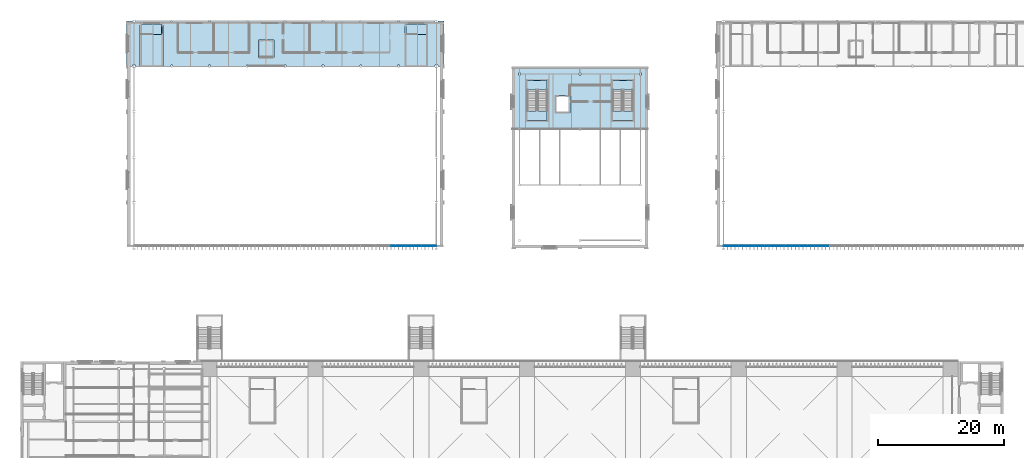
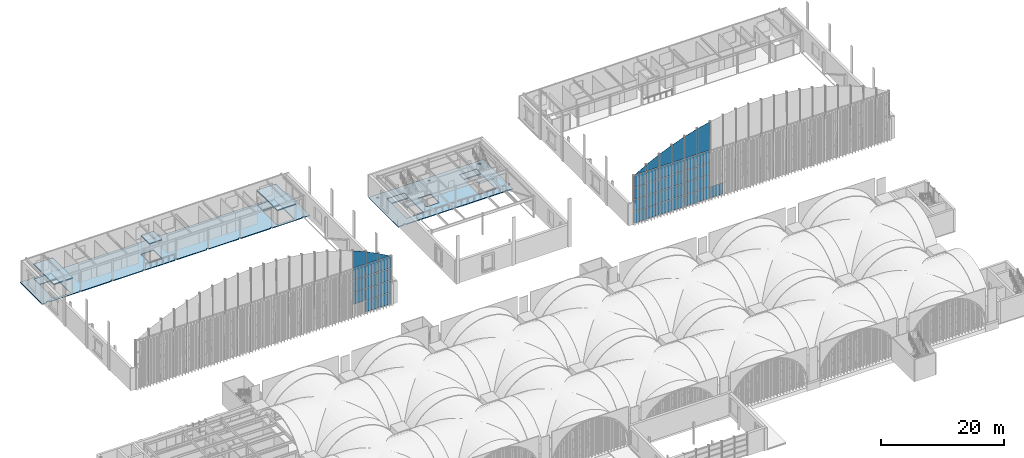
# One storey, part 90 of 169: 45 plates, 11 slabs, 4 elements without a shape of their own.
"""IFC4 building model written with IfcOpenShell, lengths in metres."""

from ifc_helpers import new_model, si_unit, direction, frame, origin, origin_2d, place, context, subcontext, project, spatial, polyline, rectangle, outline, extrude, material, layer, layer_set, type_object, element, aggregate, save


model = new_model("IFC4")

# Units and contexts
model_context = context("Model", 3, precision=1e-05, world=origin(), true_north=direction((0.0, 1.0)))
body_context = subcontext(model_context, "Body", "Model", "MODEL_VIEW")
ifc_project = project(units=[si_unit("LENGTHUNIT", "METRE"), si_unit("AREAUNIT", "SQUARE_METRE"), si_unit("VOLUMEUNIT", "CUBIC_METRE"), si_unit("PLANEANGLEUNIT", "RADIAN"), si_unit("MASSUNIT", "GRAM", prefix="KILO")], contexts=[model_context])

# Site, building, storey
site_placement = place(None, origin())
site = spatial("IfcSite", under=ifc_project, at=site_placement, CompositionType="ELEMENT")
building_placement = place(site_placement, origin())
building = spatial("IfcBuilding", under=site, at=building_placement, Name="Verrick Yard Athletic Hall", CompositionType="ELEMENT")
storey_placement = place(building_placement, frame((0.0, 0.0, 4.39990234375)))
storey = spatial("IfcBuildingStorey", under=building, at=storey_placement, Name="L01", CompositionType="ELEMENT", Elevation=4.39990234375)

# Slabs
ifc_material_1 = material(Name="Concrete 35 MPa", Category="concrete")
ifc_layer_1 = layer(ifc_material_1, 0.199951171875)
ifc_layer_set_1 = layer_set([ifc_layer_1], Name="Core floor slab 200")
slab_type_1 = type_object("IfcSlabType", Name="Core floor slab 200", PredefinedType="FLOOR", material=ifc_layer_set_1)
slab_1_placement = place(storey_placement, frame((0.0, 0.0, -0.199951171875)))
element("IfcSlab", 1, at=slab_1_placement, inside=storey, type_object=slab_type_1, Name="CORE-CH-E-NL-L01", PredefinedType="FLOOR", context=body_context, shape_type="SweptSolid", body=[
    extrude(outline(polyline([(104.0, 98.60009765625), (104.0, 97.10009765625), (107.199951171875, 97.10009765625), (107.199951171875, 98.60009765625), (104.0, 98.60009765625)])), origin(), (0.0, 0.0, 1.0), 0.199951171875),
])
slab_2_placement = place(storey_placement, frame((0.0, 0.0, -0.199951171875)))
element("IfcSlab", 2, at=slab_2_placement, inside=storey, type_object=slab_type_1, Name="CORE-CH-W-NL-L01", PredefinedType="FLOOR", context=body_context, shape_type="SweptSolid", body=[
    extrude(outline(polyline([(90.39990234375, 98.60009765625), (90.39990234375, 97.10009765625), (93.60009765625, 97.10009765625), (93.60009765625, 98.60009765625), (90.39990234375, 98.60009765625)])), origin(), (0.0, 0.0, 1.0), 0.199951171875),
])
slab_3_placement = place(storey_placement, frame((0.0, 0.0, -0.199951171875)))
element("IfcSlab", 3, at=slab_3_placement, inside=storey, type_object=slab_type_1, Name="CORE-HB-E-NL-L01", PredefinedType="FLOOR", context=body_context, shape_type="SweptSolid", body=[
    extrude(outline(polyline([(71.199951171875, 107.58154296875), (71.199951171875, 105.875), (74.39990234375, 105.875), (74.39990234375, 107.58154296875), (71.199951171875, 107.58154296875)])), origin(), (0.0, 0.0, 1.0), 0.199951171875),
])
slab_4_placement = place(storey_placement, frame((0.0, 0.0, -0.199951171875)))
element("IfcSlab", 4, at=slab_4_placement, inside=storey, type_object=slab_type_1, Name="CORE-HB-W-NL-L01", PredefinedType="FLOOR", context=body_context, shape_type="SweptSolid", body=[
    extrude(outline(polyline([(29.199951171875, 107.58154296875), (29.199951171875, 105.875), (32.39990234375, 105.875), (32.39990234375, 107.58154296875), (29.199951171875, 107.58154296875)])), origin(), (0.0, 0.0, 1.0), 0.199951171875),
])
ifc_layer_2 = layer(ifc_material_1, 0.199951171875)
ifc_layer_set_2 = layer_set([ifc_layer_2], Name="Core roof slab 200")
slab_type_2 = type_object("IfcSlabType", Name="Core roof slab 200", PredefinedType="ROOF", material=ifc_layer_set_2)
slab_5_placement = place(storey_placement, frame((0.0, 0.0, 3.0)))
element("IfcSlab", 5, at=slab_5_placement, inside=storey, type_object=slab_type_2, Name="CORE-HB-E-COVER", PredefinedType="ROOF", context=body_context, shape_type="SweptSolid", body=[
    extrude(outline(polyline([(71.0, 100.800048828125), (74.60009765625, 100.800048828125), (74.60009765625, 107.375), (71.0, 107.375), (71.0, 100.800048828125)])), origin(), (0.0, 0.0, 1.0), 0.2001953125),
])
slab_6_placement = place(storey_placement, frame((0.0, 0.0, 3.0)))
element("IfcSlab", 6, at=slab_6_placement, inside=storey, type_object=slab_type_2, Name="CORE-HB-W-COVER", PredefinedType="ROOF", context=body_context, shape_type="SweptSolid", body=[
    extrude(outline(polyline([(29.0, 100.800048828125), (32.60009765625, 100.800048828125), (32.60009765625, 107.375), (29.0, 107.375), (29.0, 100.800048828125)])), origin(), (0.0, 0.0, 1.0), 0.2001953125),
])
slab_7_placement = place(storey_placement, frame((0.0, 0.0, 3.60009765625)))
element("IfcSlab", 7, at=slab_7_placement, inside=storey, type_object=slab_type_2, Name="CORE-LF-HB-COVER", PredefinedType="ROOF", context=body_context, shape_type="SweptSolid", body=[
    extrude(outline(polyline([(47.800048828125, 102.199951171875), (50.199951171875, 102.199951171875), (50.199951171875, 105.0), (47.800048828125, 105.0), (47.800048828125, 102.199951171875)])), origin(), (0.0, 0.0, 1.0), 0.199951171875),
])

# Curtain wall, plates
ifc_material_2 = material(Name="Anodised aluminium", Category="aluminium")
ifc_layer_3 = layer(ifc_material_2, 0.199951171875)
ifc_layer_set_3 = layer_set([ifc_layer_3], Name="Gable glazing")
curtain_wall_type = type_object("IfcCurtainWallType", Name="Gable glazing", PredefinedType="NOTDEFINED", material=ifc_layer_set_3)
curtain_wall_1_placement = place(storey_placement, origin())
curtain_wall_1 = element("IfcCurtainWall", 8, at=curtain_wall_1_placement, inside=storey, type_object=curtain_wall_type, Name="Gable curtain wall AS", PredefinedType="NOTDEFINED")
ifc_material_3 = material(Name="Glass IGU low-e", Category="glass")
ifc_layer_4 = layer(ifc_material_3, 0.03125)
ifc_layer_set_4 = layer_set([ifc_layer_4], Name="Glazing panel 31")
plate_type = type_object("IfcPlateType", Name="Glazing panel 31", PredefinedType="CURTAIN_PANEL", material=ifc_layer_set_4)
plate_1_placement = place(storey_placement, frame((122.800048828125, 72.318359375, 0.1201171875), z_axis=(0.0, 0.0, 1.0), x_axis=(1.0, 0.0, 0.0)))
plate_1 = element("IfcPlate", 9, at=plate_1_placement, type_object=plate_type, Name="ENVB-HAS-CW/P00-00", PredefinedType="CURTAIN_PANEL", context=body_context, shape_type="SweptSolid", body=[
    extrude(rectangle(XDim=2.340087890625, YDim=0.03125, at=origin_2d()), origin(), (0.0, 0.0, 1.0), 2.219970703125),
])
plate_2_placement = place(storey_placement, frame((122.800048828125, 72.318359375, 2.4599609375), z_axis=(0.0, 0.0, 1.0), x_axis=(1.0, 0.0, 0.0)))
plate_2 = element("IfcPlate", 10, at=plate_2_placement, type_object=plate_type, Name="ENVB-HAS-CW/P00-01", PredefinedType="CURTAIN_PANEL", context=body_context, shape_type="SweptSolid", body=[
    extrude(rectangle(XDim=2.340087890625, YDim=0.03125, at=origin_2d()), origin(), (0.0, 0.0, 1.0), 2.280029296875),
])
plate_3_placement = place(storey_placement, frame((122.800048828125, 72.318359375, 4.85986328125), z_axis=(0.0, 0.0, 1.0), x_axis=(1.0, 0.0, 0.0)))
plate_3 = element("IfcPlate", 11, at=plate_3_placement, type_object=plate_type, Name="ENVB-HAS-CW/P00-02", PredefinedType="CURTAIN_PANEL", context=body_context, shape_type="SweptSolid", body=[
    extrude(rectangle(XDim=2.340087890625, YDim=0.03125, at=origin_2d()), origin(), (0.0, 0.0, 1.0), 2.280029296875),
])
plate_4_placement = place(storey_placement, frame((122.800048828125, 72.318359375, 7.26025390625), z_axis=(0.0, 0.0, 1.0), x_axis=(1.0, 0.0, 0.0)))
plate_4 = element("IfcPlate", 12, at=plate_4_placement, type_object=plate_type, Name="ENVB-HAS-CW/P00-03", PredefinedType="CURTAIN_PANEL", context=body_context, shape_type="SweptSolid", body=[
    extrude(rectangle(XDim=2.340087890625, YDim=0.03125, at=origin_2d()), origin(), (0.0, 0.0, 1.0), 2.280029296875),
])
plate_5_placement = place(storey_placement, frame((125.199951171875, 72.318359375, 0.1201171875), z_axis=(0.0, 0.0, 1.0), x_axis=(1.0, 0.0, 0.0)))
plate_5 = element("IfcPlate", 13, at=plate_5_placement, type_object=plate_type, Name="ENVB-HAS-CW/P01-00", PredefinedType="CURTAIN_PANEL", context=body_context, shape_type="SweptSolid", body=[
    extrude(rectangle(XDim=2.340087890625, YDim=0.03125, at=origin_2d()), origin(), (0.0, 0.0, 1.0), 2.219970703125),
])
plate_6_placement = place(storey_placement, frame((125.199951171875, 72.318359375, 2.4599609375), z_axis=(0.0, 0.0, 1.0), x_axis=(1.0, 0.0, 0.0)))
plate_6 = element("IfcPlate", 14, at=plate_6_placement, type_object=plate_type, Name="ENVB-HAS-CW/P01-01", PredefinedType="CURTAIN_PANEL", context=body_context, shape_type="SweptSolid", body=[
    extrude(rectangle(XDim=2.340087890625, YDim=0.03125, at=origin_2d()), origin(), (0.0, 0.0, 1.0), 2.280029296875),
])
plate_7_placement = place(storey_placement, frame((125.199951171875, 72.318359375, 4.85986328125), z_axis=(0.0, 0.0, 1.0), x_axis=(1.0, 0.0, 0.0)))
plate_7 = element("IfcPlate", 15, at=plate_7_placement, type_object=plate_type, Name="ENVB-HAS-CW/P01-02", PredefinedType="CURTAIN_PANEL", context=body_context, shape_type="SweptSolid", body=[
    extrude(rectangle(XDim=2.340087890625, YDim=0.03125, at=origin_2d()), origin(), (0.0, 0.0, 1.0), 2.280029296875),
])
plate_8_placement = place(storey_placement, frame((125.199951171875, 72.318359375, 7.26025390625), z_axis=(0.0, 0.0, 1.0), x_axis=(1.0, 0.0, 0.0)))
plate_8 = element("IfcPlate", 16, at=plate_8_placement, type_object=plate_type, Name="ENVB-HAS-CW/P01-03", PredefinedType="CURTAIN_PANEL", context=body_context, shape_type="SweptSolid", body=[
    extrude(rectangle(XDim=2.340087890625, YDim=0.03125, at=origin_2d()), origin(), (0.0, 0.0, 1.0), 2.280029296875),
])
plate_9_placement = place(storey_placement, frame((127.60009765625, 72.318359375, 0.1201171875), z_axis=(0.0, 0.0, 1.0), x_axis=(1.0, 0.0, 0.0)))
plate_9 = element("IfcPlate", 17, at=plate_9_placement, type_object=plate_type, Name="ENVB-HAS-CW/P02-00", PredefinedType="CURTAIN_PANEL", context=body_context, shape_type="SweptSolid", body=[
    extrude(rectangle(XDim=2.340087890625, YDim=0.03125, at=origin_2d()), origin(), (0.0, 0.0, 1.0), 2.219970703125),
])
plate_10_placement = place(storey_placement, frame((127.60009765625, 72.318359375, 2.4599609375), z_axis=(0.0, 0.0, 1.0), x_axis=(1.0, 0.0, 0.0)))
plate_10 = element("IfcPlate", 18, at=plate_10_placement, type_object=plate_type, Name="ENVB-HAS-CW/P02-01", PredefinedType="CURTAIN_PANEL", context=body_context, shape_type="SweptSolid", body=[
    extrude(rectangle(XDim=2.340087890625, YDim=0.03125, at=origin_2d()), origin(), (0.0, 0.0, 1.0), 2.280029296875),
])
plate_11_placement = place(storey_placement, frame((127.60009765625, 72.318359375, 4.85986328125), z_axis=(0.0, 0.0, 1.0), x_axis=(1.0, 0.0, 0.0)))
plate_11 = element("IfcPlate", 19, at=plate_11_placement, type_object=plate_type, Name="ENVB-HAS-CW/P02-02", PredefinedType="CURTAIN_PANEL", context=body_context, shape_type="SweptSolid", body=[
    extrude(rectangle(XDim=2.340087890625, YDim=0.03125, at=origin_2d()), origin(), (0.0, 0.0, 1.0), 2.280029296875),
])
plate_12_placement = place(storey_placement, frame((127.60009765625, 72.318359375, 7.26025390625), z_axis=(0.0, 0.0, 1.0), x_axis=(1.0, 0.0, 0.0)))
plate_12 = element("IfcPlate", 20, at=plate_12_placement, type_object=plate_type, Name="ENVB-HAS-CW/P02-03", PredefinedType="CURTAIN_PANEL", context=body_context, shape_type="SweptSolid", body=[
    extrude(rectangle(XDim=2.340087890625, YDim=0.03125, at=origin_2d()), origin(), (0.0, 0.0, 1.0), 2.280029296875),
])
plate_13_placement = place(storey_placement, frame((130.0, 72.318359375, 0.1201171875), z_axis=(0.0, 0.0, 1.0), x_axis=(1.0, 0.0, 0.0)))
plate_13 = element("IfcPlate", 21, at=plate_13_placement, type_object=plate_type, Name="ENVB-HAS-CW/P03-00", PredefinedType="CURTAIN_PANEL", context=body_context, shape_type="SweptSolid", body=[
    extrude(rectangle(XDim=2.340087890625, YDim=0.03125, at=origin_2d()), origin(), (0.0, 0.0, 1.0), 2.219970703125),
])
plate_14_placement = place(storey_placement, frame((130.0, 72.318359375, 2.4599609375), z_axis=(0.0, 0.0, 1.0), x_axis=(1.0, 0.0, 0.0)))
plate_14 = element("IfcPlate", 22, at=plate_14_placement, type_object=plate_type, Name="ENVB-HAS-CW/P03-01", PredefinedType="CURTAIN_PANEL", context=body_context, shape_type="SweptSolid", body=[
    extrude(rectangle(XDim=2.340087890625, YDim=0.03125, at=origin_2d()), origin(), (0.0, 0.0, 1.0), 2.280029296875),
])
plate_15_placement = place(storey_placement, frame((130.0, 72.318359375, 4.85986328125), z_axis=(0.0, 0.0, 1.0), x_axis=(1.0, 0.0, 0.0)))
plate_15 = element("IfcPlate", 23, at=plate_15_placement, type_object=plate_type, Name="ENVB-HAS-CW/P03-02", PredefinedType="CURTAIN_PANEL", context=body_context, shape_type="SweptSolid", body=[
    extrude(rectangle(XDim=2.340087890625, YDim=0.03125, at=origin_2d()), origin(), (0.0, 0.0, 1.0), 2.280029296875),
])
plate_16_placement = place(storey_placement, frame((130.0, 72.318359375, 7.26025390625), z_axis=(0.0, 0.0, 1.0), x_axis=(1.0, 0.0, 0.0)))
plate_16 = element("IfcPlate", 24, at=plate_16_placement, type_object=plate_type, Name="ENVB-HAS-CW/P03-03", PredefinedType="CURTAIN_PANEL", context=body_context, shape_type="SweptSolid", body=[
    extrude(rectangle(XDim=2.340087890625, YDim=0.03125, at=origin_2d()), origin(), (0.0, 0.0, 1.0), 2.280029296875),
])
plate_17_placement = place(storey_placement, frame((132.39990234375, 72.318359375, 0.1201171875), z_axis=(0.0, 0.0, 1.0), x_axis=(1.0, 0.0, 0.0)))
plate_17 = element("IfcPlate", 25, at=plate_17_placement, type_object=plate_type, Name="ENVB-HAS-CW/P04-00", PredefinedType="CURTAIN_PANEL", context=body_context, shape_type="SweptSolid", body=[
    extrude(rectangle(XDim=2.340087890625, YDim=0.03125, at=origin_2d()), origin(), (0.0, 0.0, 1.0), 2.219970703125),
])
plate_18_placement = place(storey_placement, frame((132.39990234375, 72.318359375, 2.4599609375), z_axis=(0.0, 0.0, 1.0), x_axis=(1.0, 0.0, 0.0)))
plate_18 = element("IfcPlate", 26, at=plate_18_placement, type_object=plate_type, Name="ENVB-HAS-CW/P04-01", PredefinedType="CURTAIN_PANEL", context=body_context, shape_type="SweptSolid", body=[
    extrude(rectangle(XDim=2.340087890625, YDim=0.03125, at=origin_2d()), origin(), (0.0, 0.0, 1.0), 2.280029296875),
])
plate_19_placement = place(storey_placement, frame((132.39990234375, 72.318359375, 4.85986328125), z_axis=(0.0, 0.0, 1.0), x_axis=(1.0, 0.0, 0.0)))
plate_19 = element("IfcPlate", 27, at=plate_19_placement, type_object=plate_type, Name="ENVB-HAS-CW/P04-02", PredefinedType="CURTAIN_PANEL", context=body_context, shape_type="SweptSolid", body=[
    extrude(rectangle(XDim=2.340087890625, YDim=0.03125, at=origin_2d()), origin(), (0.0, 0.0, 1.0), 2.280029296875),
])
plate_20_placement = place(storey_placement, frame((132.39990234375, 72.318359375, 7.26025390625), z_axis=(0.0, 0.0, 1.0), x_axis=(1.0, 0.0, 0.0)))
plate_20 = element("IfcPlate", 28, at=plate_20_placement, type_object=plate_type, Name="ENVB-HAS-CW/P04-03", PredefinedType="CURTAIN_PANEL", context=body_context, shape_type="SweptSolid", body=[
    extrude(rectangle(XDim=2.340087890625, YDim=0.03125, at=origin_2d()), origin(), (0.0, 0.0, 1.0), 2.280029296875),
])
plate_21_placement = place(storey_placement, frame((134.800048828125, 72.318359375, 0.1201171875), z_axis=(0.0, 0.0, 1.0), x_axis=(1.0, 0.0, 0.0)))
plate_21 = element("IfcPlate", 29, at=plate_21_placement, type_object=plate_type, Name="ENVB-HAS-CW/P05-00", PredefinedType="CURTAIN_PANEL", context=body_context, shape_type="SweptSolid", body=[
    extrude(rectangle(XDim=2.340087890625, YDim=0.03125, at=origin_2d()), origin(), (0.0, 0.0, 1.0), 2.219970703125),
])
plate_22_placement = place(storey_placement, frame((134.800048828125, 72.318359375, 2.4599609375), z_axis=(0.0, 0.0, 1.0), x_axis=(1.0, 0.0, 0.0)))
plate_22 = element("IfcPlate", 30, at=plate_22_placement, type_object=plate_type, Name="ENVB-HAS-CW/P05-01", PredefinedType="CURTAIN_PANEL", context=body_context, shape_type="SweptSolid", body=[
    extrude(rectangle(XDim=2.340087890625, YDim=0.03125, at=origin_2d()), origin(), (0.0, 0.0, 1.0), 2.280029296875),
])
plate_23_placement = place(storey_placement, frame((134.800048828125, 72.318359375, 4.85986328125), z_axis=(0.0, 0.0, 1.0), x_axis=(1.0, 0.0, 0.0)))
plate_23 = element("IfcPlate", 31, at=plate_23_placement, type_object=plate_type, Name="ENVB-HAS-CW/P05-02", PredefinedType="CURTAIN_PANEL", context=body_context, shape_type="SweptSolid", body=[
    extrude(rectangle(XDim=2.340087890625, YDim=0.03125, at=origin_2d()), origin(), (0.0, 0.0, 1.0), 2.280029296875),
])
plate_24_placement = place(storey_placement, frame((134.800048828125, 72.318359375, 7.26025390625), z_axis=(0.0, 0.0, 1.0), x_axis=(1.0, 0.0, 0.0)))
plate_24 = element("IfcPlate", 32, at=plate_24_placement, type_object=plate_type, Name="ENVB-HAS-CW/P05-03", PredefinedType="CURTAIN_PANEL", context=body_context, shape_type="SweptSolid", body=[
    extrude(rectangle(XDim=2.340087890625, YDim=0.03125, at=origin_2d()), origin(), (0.0, 0.0, 1.0), 2.280029296875),
])
plate_25_placement = place(storey_placement, frame((137.199951171875, 72.318359375, 0.1201171875), z_axis=(0.0, 0.0, 1.0), x_axis=(1.0, 0.0, 0.0)))
plate_25 = element("IfcPlate", 33, at=plate_25_placement, type_object=plate_type, Name="ENVB-HAS-CW/P06-00", PredefinedType="CURTAIN_PANEL", context=body_context, shape_type="SweptSolid", body=[
    extrude(rectangle(XDim=2.340087890625, YDim=0.03125, at=origin_2d()), origin(), (0.0, 0.0, 1.0), 2.219970703125),
])
plate_26_placement = place(storey_placement, frame((121.765625, 72.318359375, 9.66015625), z_axis=(0.0, 0.0, 1.0), x_axis=(1.0, 0.0, 0.0)))
plate_26 = element("IfcPlate", 34, at=plate_26_placement, type_object=plate_type, Name="ENVB-HAS-CW/PA00", PredefinedType="CURTAIN_PANEL", context=body_context, shape_type="SweptSolid", body=[
    extrude(outline(polyline([(2.204345703125, 1.2587890625), (2.204345703125, 0.0), (0.0, 0.0), (2.204345703125, 1.2587890625)])), frame((0.0, 0.015625, 0.0), z_axis=(0.0, -1.0, 0.0), x_axis=(1.0, 0.0, 0.0)), (0.0, 0.0, 1.0), 0.03125),
])
plate_27_placement = place(storey_placement, frame((124.030029296875, 72.318359375, 9.66015625), z_axis=(0.0, 0.0, 1.0), x_axis=(1.0, 0.0, 0.0)))
plate_27 = element("IfcPlate", 35, at=plate_27_placement, type_object=plate_type, Name="ENVB-HAS-CW/PA01", PredefinedType="CURTAIN_PANEL", context=body_context, shape_type="SweptSolid", body=[
    extrude(outline(polyline([(0.0, 1.291748046875), (2.340087890625, 2.4501953125), (2.340087890625, 0.0), (0.0, 0.0), (0.0, 1.291748046875)])), frame((0.0, 0.015625, 0.0), z_axis=(0.0, -1.0, 0.0), x_axis=(1.0, 0.0, 0.0)), (0.0, 0.0, 1.0), 0.03125),
])
plate_28_placement = place(storey_placement, frame((126.429931640625, 72.318359375, 9.66015625), z_axis=(0.0, 0.0, 1.0), x_axis=(1.0, 0.0, 0.0)))
plate_28 = element("IfcPlate", 36, at=plate_28_placement, type_object=plate_type, Name="ENVB-HAS-CW/PA02", PredefinedType="CURTAIN_PANEL", context=body_context, shape_type="SweptSolid", body=[
    extrude(outline(polyline([(0.0, 2.478759765625), (2.340087890625, 3.47412109375), (2.340087890625, 0.0), (0.0, 0.0), (0.0, 2.478759765625)])), frame((0.0, 0.015625, 0.0), z_axis=(0.0, -1.0, 0.0), x_axis=(1.0, 0.0, 0.0)), (0.0, 0.0, 1.0), 0.03125),
])
plate_29_placement = place(storey_placement, frame((128.830078125, 72.318359375, 9.66015625), z_axis=(0.0, 0.0, 1.0), x_axis=(1.0, 0.0, 0.0)))
plate_29 = element("IfcPlate", 37, at=plate_29_placement, type_object=plate_type, Name="ENVB-HAS-CW/PA03", PredefinedType="CURTAIN_PANEL", context=body_context, shape_type="SweptSolid", body=[
    extrude(outline(polyline([(0.0, 3.49853515625), (2.340087890625, 4.34228515625), (2.340087890625, 0.0), (0.0, 0.0), (0.0, 3.49853515625)])), frame((0.0, 0.015625, 0.0), z_axis=(0.0, -1.0, 0.0), x_axis=(1.0, 0.0, 0.0)), (0.0, 0.0, 1.0), 0.03125),
])
plate_30_placement = place(storey_placement, frame((131.22998046875, 72.318359375, 9.66015625), z_axis=(0.0, 0.0, 1.0), x_axis=(1.0, 0.0, 0.0)))
plate_30 = element("IfcPlate", 38, at=plate_30_placement, type_object=plate_type, Name="ENVB-HAS-CW/PA04", PredefinedType="CURTAIN_PANEL", context=body_context, shape_type="SweptSolid", body=[
    extrude(outline(polyline([(0.0, 4.36279296875), (2.340087890625, 5.06396484375), (2.340087890625, 0.0), (0.0, 0.0), (0.0, 4.36279296875)])), frame((0.0, 0.015625, 0.0), z_axis=(0.0, -1.0, 0.0), x_axis=(1.0, 0.0, 0.0)), (0.0, 0.0, 1.0), 0.03125),
])
plate_31_placement = place(storey_placement, frame((133.6298828125, 72.318359375, 9.66015625), z_axis=(0.0, 0.0, 1.0), x_axis=(1.0, 0.0, 0.0)))
plate_31 = element("IfcPlate", 39, at=plate_31_placement, type_object=plate_type, Name="ENVB-HAS-CW/PA05", PredefinedType="CURTAIN_PANEL", context=body_context, shape_type="SweptSolid", body=[
    extrude(outline(polyline([(0.0, 5.080810546875), (2.340087890625, 5.646240234375), (2.340087890625, 0.0), (0.0, 0.0), (0.0, 5.080810546875)])), frame((0.0, 0.015625, 0.0), z_axis=(0.0, -1.0, 0.0), x_axis=(1.0, 0.0, 0.0)), (0.0, 0.0, 1.0), 0.03125),
])
aggregate(curtain_wall_1, [plate_1, plate_2, plate_3, plate_4, plate_5, plate_6, plate_7, plate_8, plate_9, plate_10, plate_11, plate_12, plate_13, plate_14, plate_15, plate_16, plate_17, plate_18, plate_19, plate_20, plate_21, plate_22, plate_23, plate_24, plate_25, plate_26, plate_27, plate_28, plate_29, plate_30, plate_31])

curtain_wall_2_placement = place(storey_placement, origin())
curtain_wall_2 = element("IfcCurtainWall", 40, at=curtain_wall_2_placement, inside=storey, type_object=curtain_wall_type, Name="Gable curtain wall BS", PredefinedType="NOTDEFINED")
plate_32_placement = place(storey_placement, frame((70.0, 72.318359375, 2.4599609375), z_axis=(0.0, 0.0, 1.0), x_axis=(1.0, 0.0, 0.0)))
plate_32 = element("IfcPlate", 41, at=plate_32_placement, type_object=plate_type, Name="ENVB-HBS-CW/P17-01", PredefinedType="CURTAIN_PANEL", context=body_context, shape_type="SweptSolid", body=[
    extrude(rectangle(XDim=2.340087890625, YDim=0.03125, at=origin_2d()), origin(), (0.0, 0.0, 1.0), 2.280029296875),
])
plate_33_placement = place(storey_placement, frame((70.0, 72.318359375, 4.85986328125), z_axis=(0.0, 0.0, 1.0), x_axis=(1.0, 0.0, 0.0)))
plate_33 = element("IfcPlate", 42, at=plate_33_placement, type_object=plate_type, Name="ENVB-HBS-CW/P17-02", PredefinedType="CURTAIN_PANEL", context=body_context, shape_type="SweptSolid", body=[
    extrude(rectangle(XDim=2.340087890625, YDim=0.03125, at=origin_2d()), origin(), (0.0, 0.0, 1.0), 2.280029296875),
])
plate_34_placement = place(storey_placement, frame((70.0, 72.318359375, 7.26025390625), z_axis=(0.0, 0.0, 1.0), x_axis=(1.0, 0.0, 0.0)))
plate_34 = element("IfcPlate", 43, at=plate_34_placement, type_object=plate_type, Name="ENVB-HBS-CW/P17-03", PredefinedType="CURTAIN_PANEL", context=body_context, shape_type="SweptSolid", body=[
    extrude(rectangle(XDim=2.340087890625, YDim=0.03125, at=origin_2d()), origin(), (0.0, 0.0, 1.0), 2.280029296875),
])
plate_35_placement = place(storey_placement, frame((72.39990234375, 72.318359375, 0.1201171875), z_axis=(0.0, 0.0, 1.0), x_axis=(1.0, 0.0, 0.0)))
plate_35 = element("IfcPlate", 44, at=plate_35_placement, type_object=plate_type, Name="ENVB-HBS-CW/P18-00", PredefinedType="CURTAIN_PANEL", context=body_context, shape_type="SweptSolid", body=[
    extrude(rectangle(XDim=2.340087890625, YDim=0.03125, at=origin_2d()), origin(), (0.0, 0.0, 1.0), 2.219970703125),
])
plate_36_placement = place(storey_placement, frame((72.39990234375, 72.318359375, 2.4599609375), z_axis=(0.0, 0.0, 1.0), x_axis=(1.0, 0.0, 0.0)))
plate_36 = element("IfcPlate", 45, at=plate_36_placement, type_object=plate_type, Name="ENVB-HBS-CW/P18-01", PredefinedType="CURTAIN_PANEL", context=body_context, shape_type="SweptSolid", body=[
    extrude(rectangle(XDim=2.340087890625, YDim=0.03125, at=origin_2d()), origin(), (0.0, 0.0, 1.0), 2.280029296875),
])
plate_37_placement = place(storey_placement, frame((72.39990234375, 72.318359375, 4.85986328125), z_axis=(0.0, 0.0, 1.0), x_axis=(1.0, 0.0, 0.0)))
plate_37 = element("IfcPlate", 46, at=plate_37_placement, type_object=plate_type, Name="ENVB-HBS-CW/P18-02", PredefinedType="CURTAIN_PANEL", context=body_context, shape_type="SweptSolid", body=[
    extrude(rectangle(XDim=2.340087890625, YDim=0.03125, at=origin_2d()), origin(), (0.0, 0.0, 1.0), 2.280029296875),
])
plate_38_placement = place(storey_placement, frame((72.39990234375, 72.318359375, 7.26025390625), z_axis=(0.0, 0.0, 1.0), x_axis=(1.0, 0.0, 0.0)))
plate_38 = element("IfcPlate", 47, at=plate_38_placement, type_object=plate_type, Name="ENVB-HBS-CW/P18-03", PredefinedType="CURTAIN_PANEL", context=body_context, shape_type="SweptSolid", body=[
    extrude(rectangle(XDim=2.340087890625, YDim=0.03125, at=origin_2d()), origin(), (0.0, 0.0, 1.0), 2.280029296875),
])
plate_39_placement = place(storey_placement, frame((74.800048828125, 72.318359375, 0.1201171875), z_axis=(0.0, 0.0, 1.0), x_axis=(1.0, 0.0, 0.0)))
plate_39 = element("IfcPlate", 48, at=plate_39_placement, type_object=plate_type, Name="ENVB-HBS-CW/P19-00", PredefinedType="CURTAIN_PANEL", context=body_context, shape_type="SweptSolid", body=[
    extrude(rectangle(XDim=2.340087890625, YDim=0.03125, at=origin_2d()), origin(), (0.0, 0.0, 1.0), 2.219970703125),
])
plate_40_placement = place(storey_placement, frame((74.800048828125, 72.318359375, 2.4599609375), z_axis=(0.0, 0.0, 1.0), x_axis=(1.0, 0.0, 0.0)))
plate_40 = element("IfcPlate", 49, at=plate_40_placement, type_object=plate_type, Name="ENVB-HBS-CW/P19-01", PredefinedType="CURTAIN_PANEL", context=body_context, shape_type="SweptSolid", body=[
    extrude(rectangle(XDim=2.340087890625, YDim=0.03125, at=origin_2d()), origin(), (0.0, 0.0, 1.0), 2.280029296875),
])
plate_41_placement = place(storey_placement, frame((74.800048828125, 72.318359375, 4.85986328125), z_axis=(0.0, 0.0, 1.0), x_axis=(1.0, 0.0, 0.0)))
plate_41 = element("IfcPlate", 50, at=plate_41_placement, type_object=plate_type, Name="ENVB-HBS-CW/P19-02", PredefinedType="CURTAIN_PANEL", context=body_context, shape_type="SweptSolid", body=[
    extrude(rectangle(XDim=2.340087890625, YDim=0.03125, at=origin_2d()), origin(), (0.0, 0.0, 1.0), 2.280029296875),
])
plate_42_placement = place(storey_placement, frame((74.800048828125, 72.318359375, 7.26025390625), z_axis=(0.0, 0.0, 1.0), x_axis=(1.0, 0.0, 0.0)))
plate_42 = element("IfcPlate", 51, at=plate_42_placement, type_object=plate_type, Name="ENVB-HBS-CW/P19-03", PredefinedType="CURTAIN_PANEL", context=body_context, shape_type="SweptSolid", body=[
    extrude(rectangle(XDim=2.340087890625, YDim=0.03125, at=origin_2d()), origin(), (0.0, 0.0, 1.0), 2.280029296875),
])
plate_43_placement = place(storey_placement, frame((68.830078125, 72.318359375, 9.66015625), z_axis=(0.0, 0.0, 1.0), x_axis=(1.0, 0.0, 0.0)))
plate_43 = element("IfcPlate", 52, at=plate_43_placement, type_object=plate_type, Name="ENVB-HBS-CW/PA17", PredefinedType="CURTAIN_PANEL", context=body_context, shape_type="SweptSolid", body=[
    extrude(outline(polyline([(0.0, 3.47412109375), (2.340087890625, 2.478759765625), (2.340087890625, 0.0), (0.0, 0.0), (0.0, 3.47412109375)])), frame((0.0, 0.015625, 0.0), z_axis=(0.0, -1.0, 0.0), x_axis=(1.0, 0.0, 0.0)), (0.0, 0.0, 1.0), 0.03125),
])
plate_44_placement = place(storey_placement, frame((71.22998046875, 72.318359375, 9.66015625), z_axis=(0.0, 0.0, 1.0), x_axis=(1.0, 0.0, 0.0)))
plate_44 = element("IfcPlate", 53, at=plate_44_placement, type_object=plate_type, Name="ENVB-HBS-CW/PA18", PredefinedType="CURTAIN_PANEL", context=body_context, shape_type="SweptSolid", body=[
    extrude(outline(polyline([(0.0, 2.4501953125), (2.340087890625, 1.291748046875), (2.340087890625, 0.0), (0.0, 0.0), (0.0, 2.4501953125)])), frame((0.0, 0.015625, 0.0), z_axis=(0.0, -1.0, 0.0), x_axis=(1.0, 0.0, 0.0)), (0.0, 0.0, 1.0), 0.03125),
])
plate_45_placement = place(storey_placement, frame((73.6298828125, 72.318359375, 9.66015625), z_axis=(0.0, 0.0, 1.0), x_axis=(1.0, 0.0, 0.0)))
plate_45 = element("IfcPlate", 54, at=plate_45_placement, type_object=plate_type, Name="ENVB-HBS-CW/PA19", PredefinedType="CURTAIN_PANEL", context=body_context, shape_type="SweptSolid", body=[
    extrude(outline(polyline([(0.0, 1.2587890625), (2.204345703125, 0.0), (0.0, 0.0), (0.0, 1.2587890625)])), frame((0.0, 0.015625, 0.0), z_axis=(0.0, -1.0, 0.0), x_axis=(1.0, 0.0, 0.0)), (0.0, 0.0, 1.0), 0.03125),
])
aggregate(curtain_wall_2, [plate_32, plate_33, plate_34, plate_35, plate_36, plate_37, plate_38, plate_39, plate_40, plate_41, plate_42, plate_43, plate_44, plate_45])

# Slabs
ifc_layer_5 = layer(ifc_material_1, 0.14990234375)
ifc_layer_set_5 = layer_set([ifc_layer_5], Name="HB floor slab 150")
slab_type_3 = type_object("IfcSlabType", Name="HB floor slab 150", PredefinedType="FLOOR", material=ifc_layer_set_5)
slab_8_placement = place(storey_placement, frame((0.0, 0.0, -0.14990234375)))
element("IfcSlab", 55, at=slab_8_placement, inside=storey, type_object=slab_type_3, Name="HB-SL-B-L01", PredefinedType="FLOOR", context=body_context, shape_type="SweptSolid", body=[
    extrude(outline(polyline([(77.199951171875, 108.0), (77.199951171875, 100.800048828125), (76.234619140625, 100.800048828125), (76.234619140625, 101.028076171875), (75.765380859375, 101.028076171875), (75.765380859375, 100.800048828125), (70.152587890625, 100.800048828125), (70.152587890625, 101.0048828125), (69.847412109375, 101.0048828125), (69.847412109375, 100.800048828125), (64.152587890625, 100.800048828125), (64.152587890625, 101.0048828125), (63.847412109375, 101.0048828125), (63.847412109375, 100.800048828125), (58.152587890625, 100.800048828125), (58.152587890625, 101.0048828125), (57.847412109375, 101.0048828125), (57.847412109375, 100.800048828125), (52.152587890625, 100.800048828125), (52.152587890625, 101.0048828125), (51.847412109375, 101.0048828125), (51.847412109375, 100.800048828125), (46.152587890625, 100.800048828125), (46.152587890625, 101.0048828125), (45.847412109375, 101.0048828125), (45.847412109375, 100.800048828125), (40.152587890625, 100.800048828125), (40.152587890625, 101.0048828125), (39.847412109375, 101.0048828125), (39.847412109375, 100.800048828125), (34.152587890625, 100.800048828125), (34.152587890625, 101.0048828125), (33.847412109375, 101.0048828125), (33.847412109375, 100.800048828125), (28.234619140625, 100.800048828125), (28.234619140625, 101.028076171875), (27.765380859375, 101.028076171875), (27.765380859375, 100.800048828125), (26.800048828125, 100.800048828125), (26.800048828125, 108.0), (27.765380859375, 108.0), (27.765380859375, 107.77197265625), (28.234619140625, 107.77197265625), (28.234619140625, 108.0), (33.847412109375, 108.0), (33.847412109375, 107.794921875), (34.152587890625, 107.794921875), (34.152587890625, 108.0), (39.847412109375, 108.0), (39.847412109375, 107.794921875), (40.152587890625, 107.794921875), (40.152587890625, 108.0), (45.847412109375, 108.0), (45.847412109375, 107.794921875), (46.152587890625, 107.794921875), (46.152587890625, 108.0), (51.847412109375, 108.0), (51.847412109375, 107.794921875), (52.152587890625, 107.794921875), (52.152587890625, 108.0), (57.847412109375, 108.0), (57.847412109375, 107.794921875), (58.152587890625, 107.794921875), (58.152587890625, 108.0), (63.847412109375, 108.0), (63.847412109375, 107.794921875), (64.152587890625, 107.794921875), (64.152587890625, 108.0), (69.847412109375, 108.0), (69.847412109375, 107.794921875), (70.152587890625, 107.794921875), (70.152587890625, 108.0), (75.765380859375, 108.0), (75.765380859375, 107.77197265625), (76.234619140625, 107.77197265625), (76.234619140625, 108.0), (77.199951171875, 108.0)]), holes=[polyline([(50.199951171875, 105.0), (47.800048828125, 105.0), (47.800048828125, 102.199951171875), (50.199951171875, 102.199951171875), (50.199951171875, 105.0)]), polyline([(32.39990234375, 107.60009765625), (29.199951171875, 107.60009765625), (29.199951171875, 101.199951171875), (32.39990234375, 101.199951171875), (32.39990234375, 107.60009765625)]), polyline([(74.39990234375, 107.60009765625), (71.199951171875, 107.60009765625), (71.199951171875, 101.199951171875), (74.39990234375, 101.199951171875), (74.39990234375, 107.60009765625)])]), origin(), (0.0, 0.0, 1.0), 0.14990234375),
])
slab_9_placement = place(storey_placement, frame((0.0, 0.0, -0.14990234375)))
element("IfcSlab", 56, at=slab_9_placement, inside=storey, type_object=slab_type_3, Name="HB-SL-C-L01", PredefinedType="FLOOR", context=body_context, shape_type="SweptSolid", body=[
    extrude(outline(polyline([(88.0, 90.800048828125), (88.0, 100.449951171875), (109.60009765625, 100.449951171875), (109.60009765625, 90.800048828125), (108.576904296875, 90.800048828125), (108.576904296875, 90.97705078125), (108.222900390625, 90.97705078125), (108.222900390625, 90.800048828125), (98.97705078125, 90.800048828125), (98.97705078125, 90.97705078125), (98.623046875, 90.97705078125), (98.623046875, 90.800048828125), (89.376953125, 90.800048828125), (89.376953125, 90.97705078125), (89.02294921875, 90.97705078125), (89.02294921875, 90.800048828125), (88.0, 90.800048828125)]), holes=[polyline([(94.800048828125, 96.199951171875), (94.800048828125, 93.39990234375), (97.199951171875, 93.39990234375), (97.199951171875, 96.199951171875), (94.800048828125, 96.199951171875)]), polyline([(90.39990234375, 98.60009765625), (90.39990234375, 92.199951171875), (93.60009765625, 92.199951171875), (93.60009765625, 98.60009765625), (90.39990234375, 98.60009765625)]), polyline([(104.0, 98.60009765625), (104.0, 92.199951171875), (107.199951171875, 92.199951171875), (107.199951171875, 98.60009765625), (104.0, 98.60009765625)]), polyline([(89.02294921875, 99.777099609375), (89.02294921875, 99.423095703125), (89.376953125, 99.423095703125), (89.376953125, 99.777099609375), (89.02294921875, 99.777099609375)]), polyline([(98.97705078125, 99.777099609375), (98.623046875, 99.777099609375), (98.623046875, 99.423095703125), (98.97705078125, 99.423095703125), (98.97705078125, 99.777099609375)]), polyline([(108.576904296875, 99.777099609375), (108.222900390625, 99.777099609375), (108.222900390625, 99.423095703125), (108.576904296875, 99.423095703125), (108.576904296875, 99.777099609375)])]), origin(), (0.0, 0.0, 1.0), 0.14990234375),
])

# Stair, slab
stair_type = type_object("IfcStairType", Name="Stair ST1 1500 wide 26 risers", PredefinedType="HALF_TURN_STAIR", material=ifc_material_1)
stair_1_placement = place(storey_placement, origin())
stair_1 = element("IfcStair", 57, at=stair_1_placement, inside=storey, type_object=stair_type, Name="Climbing hall east stair L01", PredefinedType="HALF_TURN_STAIR")
ifc_layer_6 = layer(ifc_material_1, 0.199951171875)
ifc_layer_set_6 = layer_set([ifc_layer_6], Name="Stair landing slab 200")
slab_type_4 = type_object("IfcSlabType", Name="Stair landing slab 200", PredefinedType="LANDING", material=ifc_layer_set_6)
slab_10_placement = place(storey_placement, frame((0.0, 0.0, 2.0)))
slab_10 = element("IfcSlab", 58, at=slab_10_placement, type_object=slab_type_4, Name="ST1 landing 1", PredefinedType="LANDING", context=body_context, shape_type="SweptSolid", body=[
    extrude(outline(polyline([(104.0, 93.739990234375), (104.0, 92.199951171875), (107.199951171875, 92.199951171875), (107.199951171875, 93.739990234375), (104.0, 93.739990234375)])), origin(), (0.0, 0.0, 1.0), 0.2001953125),
])
aggregate(stair_1, [slab_10])

stair_2_placement = place(storey_placement, origin())
stair_2 = element("IfcStair", 59, at=stair_2_placement, inside=storey, type_object=stair_type, Name="Climbing hall west stair L01", PredefinedType="HALF_TURN_STAIR")
slab_11_placement = place(storey_placement, frame((0.0, 0.0, 2.0)))
slab_11 = element("IfcSlab", 60, at=slab_11_placement, type_object=slab_type_4, Name="ST1 landing 1", PredefinedType="LANDING", context=body_context, shape_type="SweptSolid", body=[
    extrude(outline(polyline([(90.39990234375, 93.739990234375), (90.39990234375, 92.199951171875), (93.60009765625, 92.199951171875), (93.60009765625, 93.739990234375), (90.39990234375, 93.739990234375)])), origin(), (0.0, 0.0, 1.0), 0.2001953125),
])
aggregate(stair_2, [slab_11])

save(model, "model.ifc")
